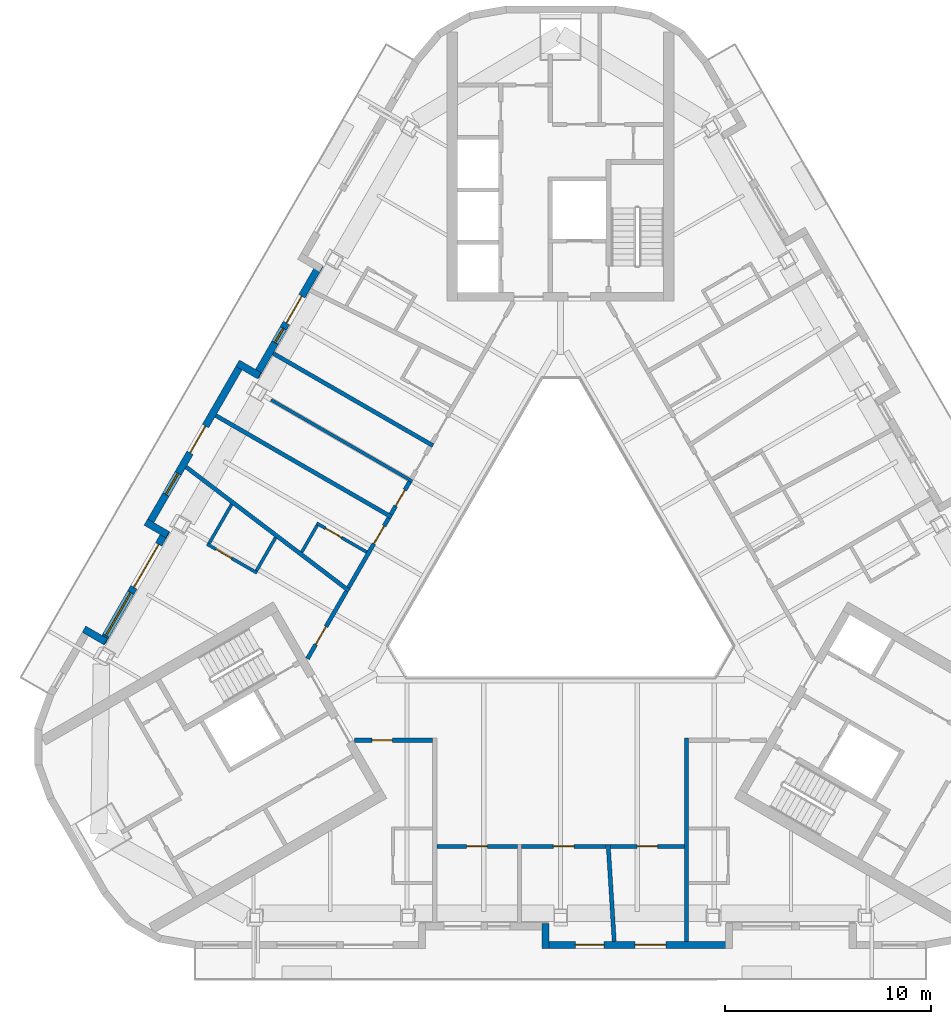
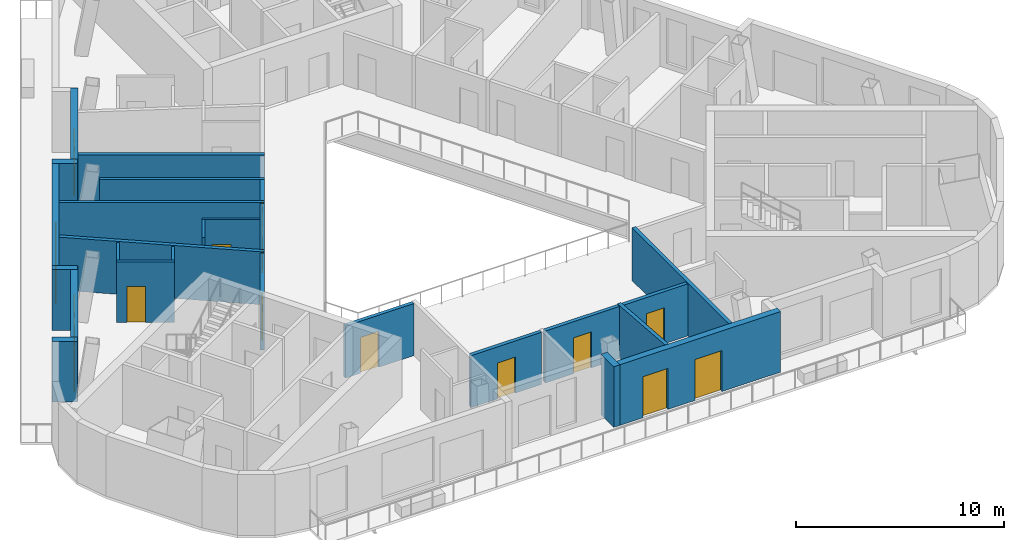
# One storey, part 4 of 13: 26 walls, 14 doors, 3 windows, 17 openings.
"""IFC4 building model written with IfcOpenShell, lengths in metres."""

from ifc_helpers import new_model, si_unit, direction, frame, frame_2d, origin, place, context, subcontext, project, spatial, rectangle, extrude, material, layer, layer_set, type_object, element, fill, save


model = new_model("IFC4")

# Units and contexts
model_context = context("Model", 3, precision=1e-05, world=origin(), true_north=direction((0.0, 1.0)))
body_context = subcontext(model_context, "Body", "Model", "MODEL_VIEW")
ifc_project = project(units=[si_unit("LENGTHUNIT", "METRE"), si_unit("AREAUNIT", "SQUARE_METRE"), si_unit("VOLUMEUNIT", "CUBIC_METRE"), si_unit("PLANEANGLEUNIT", "RADIAN"), si_unit("MASSUNIT", "GRAM", prefix="KILO")], contexts=[model_context])

# Site, building, storey
site_placement = place(None, origin())
site = spatial("IfcSite", under=ifc_project, at=site_placement, CompositionType="ELEMENT")
building_placement = place(site_placement, origin())
building = spatial("IfcBuilding", under=site, at=building_placement, Name="Apuvela Tower Hotel", CompositionType="ELEMENT")
storey_placement = place(building_placement, frame((0.0, 0.0, 276.300048828125)))
storey = spatial("IfcBuildingStorey", under=building, at=storey_placement, Name="L68", CompositionType="ELEMENT", Elevation=276.300048828125)

# Wall, openings, door, window
ifc_material_1 = material(Name="Concrete C40/50, dark pigmented precast panel", Category="concrete")
ifc_layer_1 = layer(ifc_material_1, 0.35009765625)
ifc_layer_set_1 = layer_set([ifc_layer_1], Name="ENV-WALL-350")
wall_type_1 = type_object("IfcWallType", Name="ENV-WALL-350", PredefinedType="SOLIDWALL", material=ifc_layer_set_1)
wall_1_placement = place(storey_placement, frame((-11.655029296875, 14.654541015625, 0.0), z_axis=(0.0, 0.0, 1.0), x_axis=(-0.499995993298, -0.866027717042, 0.0)))
wall_1 = element("IfcWall", 1, at=wall_1_placement, inside=storey, type_object=wall_type_1, Name="External wall L68-03", PredefinedType="SOLIDWALL", context=body_context, shape_type="SweptSolid", body=[
    extrude(rectangle(XDim=6.28369140625, YDim=0.35009765625, at=frame_2d((3.141845703125, 0.0))), origin(), (0.0, 0.0, 1.0), 3.550048828125),
])
opening_1_placement = place(wall_1_placement, frame((1.7666015625, 0.0, 0.0)))
opening_1 = element("IfcOpeningElement", 2, at=opening_1_placement, cuts=wall_1, Name="Opening BD15", PredefinedType="OPENING", context=body_context, shape_type="SweptSolid", body=[
    extrude(rectangle(XDim=1.5, YDim=2.39990234375, at=frame_2d((0.75, 1.199951171875))), frame((0.0, 0.18505859375, 0.0), z_axis=(0.0, -1.0, 0.0), x_axis=(1.0, 0.0, 0.0)), (0.0, 0.0, 1.0), 0.3701171875),
])
opening_2_placement = place(wall_1_placement, frame((3.56640625, 0.0, 0.300048828125)))
opening_2 = element("IfcOpeningElement", 3, at=opening_2_placement, cuts=wall_1, Name="Opening WN08", PredefinedType="OPENING", context=body_context, shape_type="SweptSolid", body=[
    extrude(rectangle(XDim=0.800048828125, YDim=2.64990234375, at=frame_2d((0.39990234375, 1.324951171875))), frame((0.0, 0.18505859375, 0.0), z_axis=(0.0, -1.0, 0.0), x_axis=(1.0, 0.0, 0.0)), (0.0, 0.0, 1.0), 0.3701171875),
])
ifc_material_2 = material(Name="Aluminium 6063-T6, dark bronze anodised frame with dark tinted laminated glass", Category="aluminium")
door_type_1 = type_object("IfcDoorType", Name="ENV-DOOR-BALCONY-1500x2400", OperationType="SLIDING_TO_LEFT", PredefinedType="DOOR", material=ifc_material_2)
door_1_placement = place(opening_1_placement, frame((1.5, 0.0, 0.0), z_axis=(0.0, 0.0, 1.0), x_axis=(-1.0, 0.0, 0.0)))
door_1 = element("IfcDoor", 4, at=door_1_placement, inside=storey, type_object=door_type_1, Name="Balcony door BD15", OperationType="SLIDING_TO_LEFT", OverallHeight=2.39990234375, OverallWidth=1.5, PredefinedType="DOOR", context=body_context, shape_type="SweptSolid", body=[
    extrude(rectangle(XDim=1.5, YDim=2.39990234375, at=frame_2d((0.75, 1.199951171875))), frame((0.0, 0.02490234375, 0.0), z_axis=(0.0, -1.0, 0.0), x_axis=(1.0, 0.0, 0.0)), (0.0, 0.0, 1.0), 0.050048828125),
])
fill(opening_1, door_1)
ifc_material_3 = material(Name="Glass, dark tinted laminated insulated glazing unit", Category="glass")
window_type_1 = type_object("IfcWindowType", Name="ENV-WIN-800x2650", PartitioningType="SINGLE_PANEL", PredefinedType="WINDOW", material=ifc_material_3)
window_1_placement = place(opening_2_placement, origin())
window_1 = element("IfcWindow", 5, at=window_1_placement, inside=storey, type_object=window_type_1, Name="Window WN08", OverallHeight=2.64990234375, OverallWidth=0.800048828125, PartitioningType="SINGLE_PANEL", PredefinedType="WINDOW", context=body_context, shape_type="SweptSolid", body=[
    extrude(rectangle(XDim=0.800048828125, YDim=2.64990234375, at=frame_2d((0.39990234375, 1.324951171875))), frame((0.0, 0.030029296875, 0.0), z_axis=(0.0, -1.0, 0.0), x_axis=(1.0, 0.0, 0.0)), (0.0, 0.0, 1.0), 0.06005859375),
])
fill(opening_2, window_1)

# Wall
wall_2_placement = place(storey_placement, frame((-14.5986328125, 9.265625, 0.0), z_axis=(0.0, 0.0, 1.0), x_axis=(-0.866005645448, 0.500034220881, 0.0)))
element("IfcWall", 6, at=wall_2_placement, inside=storey, type_object=wall_type_1, Name="External wall L68-04", PredefinedType="SOLIDWALL", context=body_context, shape_type="SweptSolid", body=[
    extrude(rectangle(XDim=1.22021484375, YDim=0.35009765625, at=frame_2d((0.610107421875, 0.0))), origin(), (0.0, 0.0, 1.0), 3.550048828125),
])

# Wall, openings, door, window
wall_3_placement = place(storey_placement, frame((-15.416259765625, 9.939697265625, 0.0), z_axis=(0.0, 0.0, 1.0), x_axis=(-0.500005190411, -0.866022407078, 0.0)))
wall_3 = element("IfcWall", 7, at=wall_3_placement, inside=storey, type_object=wall_type_1, Name="External wall L68-05", PredefinedType="SOLIDWALL", context=body_context, shape_type="SweptSolid", body=[
    extrude(rectangle(XDim=9.24365234375, YDim=0.35009765625, at=frame_2d((4.621826171875, 0.0))), origin(), (0.0, 0.0, 1.0), 3.550048828125),
])
opening_3_placement = place(wall_3_placement, frame((3.590087890625, 0.0, 0.0)))
opening_3 = element("IfcOpeningElement", 8, at=opening_3_placement, cuts=wall_3, Name="Opening BD15", PredefinedType="OPENING", context=body_context, shape_type="SweptSolid", body=[
    extrude(rectangle(XDim=1.5, YDim=2.39990234375, at=frame_2d((0.75, 1.199951171875))), frame((0.0, 0.18505859375, 0.0), z_axis=(0.0, -1.0, 0.0), x_axis=(1.0, 0.0, 0.0)), (0.0, 0.0, 1.0), 0.3701171875),
])
opening_4_placement = place(wall_3_placement, frame((6.23046875, 0.0, 0.300048828125)))
opening_4 = element("IfcOpeningElement", 9, at=opening_4_placement, cuts=wall_3, Name="Opening WN12", PredefinedType="OPENING", context=body_context, shape_type="SweptSolid", body=[
    extrude(rectangle(XDim=1.199951171875, YDim=2.64990234375, at=frame_2d((0.60009765625, 1.324951171875))), frame((0.0, 0.18505859375, 0.0), z_axis=(0.0, -1.0, 0.0), x_axis=(1.0, 0.0, 0.0)), (0.0, 0.0, 1.0), 0.3701171875),
])
door_2_placement = place(opening_3_placement, frame((1.5, 0.0, 0.0), z_axis=(0.0, 0.0, 1.0), x_axis=(-1.0, 0.0, 0.0)))
door_2 = element("IfcDoor", 10, at=door_2_placement, inside=storey, type_object=door_type_1, Name="Balcony door BD15", OperationType="SLIDING_TO_LEFT", OverallHeight=2.39990234375, OverallWidth=1.5, PredefinedType="DOOR", context=body_context, shape_type="SweptSolid", body=[
    extrude(rectangle(XDim=1.5, YDim=2.39990234375, at=frame_2d((0.75, 1.199951171875))), frame((0.0, 0.02490234375, 0.0), z_axis=(0.0, -1.0, 0.0), x_axis=(1.0, 0.0, 0.0)), (0.0, 0.0, 1.0), 0.050048828125),
])
fill(opening_3, door_2)
window_type_2 = type_object("IfcWindowType", Name="ENV-WIN-1200x2650", PartitioningType="SINGLE_PANEL", PredefinedType="WINDOW", material=ifc_material_3)
window_2_placement = place(opening_4_placement, origin())
window_2 = element("IfcWindow", 11, at=window_2_placement, inside=storey, type_object=window_type_2, Name="Window WN12", OverallHeight=2.64990234375, OverallWidth=1.199951171875, PartitioningType="SINGLE_PANEL", PredefinedType="WINDOW", context=body_context, shape_type="SweptSolid", body=[
    extrude(rectangle(XDim=1.199951171875, YDim=2.64990234375, at=frame_2d((0.60009765625, 1.324951171875))), frame((0.0, 0.030029296875, 0.0), z_axis=(0.0, -1.0, 0.0), x_axis=(1.0, 0.0, 0.0)), (0.0, 0.0, 1.0), 0.06005859375),
])
fill(opening_4, window_2)

# Wall
wall_4_placement = place(storey_placement, frame((-20.10205078125, 2.173583984375, 0.0), z_axis=(0.0, 0.0, 1.0), x_axis=(0.866092288191, -0.499884134912, 0.0)))
element("IfcWall", 12, at=wall_4_placement, inside=storey, type_object=wall_type_1, Name="External wall L68-06", PredefinedType="SOLIDWALL", context=body_context, shape_type="SweptSolid", body=[
    extrude(rectangle(XDim=1.219970703125, YDim=0.35009765625, at=frame_2d((0.60986328125, 0.0))), origin(), (0.0, 0.0, 1.0), 3.550048828125),
])

# Wall, openings, door, window
wall_5_placement = place(storey_placement, frame((-19.0986328125, 1.76171875, 0.0), z_axis=(0.0, 0.0, 1.0), x_axis=(-0.500012817413, -0.866018003521, 0.0)))
wall_5 = element("IfcWall", 13, at=wall_5_placement, inside=storey, type_object=wall_type_1, Name="External wall L68-07", PredefinedType="SOLIDWALL", context=body_context, shape_type="SweptSolid", body=[
    extrude(rectangle(XDim=6.283447265625, YDim=0.35009765625, at=frame_2d((3.1416015625, 0.0))), origin(), (0.0, 0.0, 1.0), 3.550048828125),
])
opening_5_placement = place(wall_5_placement, frame((0.77001953125, 0.0, 0.0)))
opening_5 = element("IfcOpeningElement", 14, at=opening_5_placement, cuts=wall_5, Name="Opening BD24", PredefinedType="OPENING", context=body_context, shape_type="SweptSolid", body=[
    extrude(rectangle(XDim=2.39990234375, YDim=2.39990234375, at=frame_2d((1.199951171875, 1.199951171875))), frame((0.0, 0.18505859375, 0.0), z_axis=(0.0, -1.0, 0.0), x_axis=(1.0, 0.0, 0.0)), (0.0, 0.0, 1.0), 0.3701171875),
])
opening_6_placement = place(wall_5_placement, frame((3.469970703125, 0.0, 0.300048828125)))
opening_6 = element("IfcOpeningElement", 15, at=opening_6_placement, cuts=wall_5, Name="Opening WN24", PredefinedType="OPENING", context=body_context, shape_type="SweptSolid", body=[
    extrude(rectangle(XDim=2.39990234375, YDim=2.64990234375, at=frame_2d((1.199951171875, 1.324951171875))), frame((0.0, 0.18505859375, 0.0), z_axis=(0.0, -1.0, 0.0), x_axis=(1.0, 0.0, 0.0)), (0.0, 0.0, 1.0), 0.3701171875),
])
door_type_2 = type_object("IfcDoorType", Name="ENV-DOOR-BALCONY-2400x2400", OperationType="SLIDING_TO_LEFT", PredefinedType="DOOR", material=ifc_material_2)
door_3_placement = place(opening_5_placement, frame((2.39990234375, 0.0, 0.0), z_axis=(0.0, 0.0, 1.0), x_axis=(-1.0, 0.0, 0.0)))
door_3 = element("IfcDoor", 16, at=door_3_placement, inside=storey, type_object=door_type_2, Name="Balcony door BD24", OperationType="SLIDING_TO_LEFT", OverallHeight=2.39990234375, OverallWidth=2.39990234375, PredefinedType="DOOR", context=body_context, shape_type="SweptSolid", body=[
    extrude(rectangle(XDim=2.39990234375, YDim=2.39990234375, at=frame_2d((1.199951171875, 1.199951171875))), frame((0.0, 0.02490234375, 0.0), z_axis=(0.0, -1.0, 0.0), x_axis=(1.0, 0.0, 0.0)), (0.0, 0.0, 1.0), 0.050048828125),
])
fill(opening_5, door_3)
window_type_3 = type_object("IfcWindowType", Name="ENV-WIN-2400x2650", PartitioningType="SINGLE_PANEL", PredefinedType="WINDOW", material=ifc_material_3)
window_3_placement = place(opening_6_placement, origin())
window_3 = element("IfcWindow", 17, at=window_3_placement, inside=storey, type_object=window_type_3, Name="Window WN24", OverallHeight=2.64990234375, OverallWidth=2.39990234375, PartitioningType="SINGLE_PANEL", PredefinedType="WINDOW", context=body_context, shape_type="SweptSolid", body=[
    extrude(rectangle(XDim=2.39990234375, YDim=2.64990234375, at=frame_2d((1.199951171875, 1.324951171875))), frame((0.0, 0.030029296875, 0.0), z_axis=(0.0, -1.0, 0.0), x_axis=(1.0, 0.0, 0.0)), (0.0, 0.0, 1.0), 0.06005859375),
])
fill(opening_6, window_3)

# Walls
wall_6_placement = place(storey_placement, frame((-22.042236328125, -3.626953125, 0.0), z_axis=(0.0, 0.0, 1.0), x_axis=(-0.866005645448, 0.500034220881, 0.0)))
element("IfcWall", 18, at=wall_6_placement, inside=storey, type_object=wall_type_1, Name="External wall L68-08", PredefinedType="SOLIDWALL", context=body_context, shape_type="SweptSolid", body=[
    extrude(rectangle(XDim=1.22021484375, YDim=0.35009765625, at=frame_2d((0.610107421875, 0.0))), origin(), (0.0, 0.0, 1.0), 3.550048828125),
])
wall_7_placement = place(storey_placement, frame((-0.72509765625, -17.27587890625, 0.0), z_axis=(0.0, 0.0, 1.0), x_axis=(0.0, -1.0, 0.0)))
element("IfcWall", 19, at=wall_7_placement, inside=storey, type_object=wall_type_1, Name="External wall L68-20", PredefinedType="SOLIDWALL", context=body_context, shape_type="SweptSolid", body=[
    extrude(rectangle(XDim=1.219970703125, YDim=0.35009765625, at=frame_2d((0.60986328125, 0.0))), origin(), (0.0, 0.0, 1.0), 3.550048828125),
])

# Wall, openings, doors
wall_8_placement = place(storey_placement, frame((-0.89990234375, -18.32080078125, 0.0), z_axis=(0.0, 0.0, 1.0), x_axis=(1.0, 0.0, 0.0)))
wall_8 = element("IfcWall", 20, at=wall_8_placement, inside=storey, type_object=wall_type_1, Name="External wall L68-21", PredefinedType="SOLIDWALL", context=body_context, shape_type="SweptSolid", body=[
    extrude(rectangle(XDim=9.243408203125, YDim=0.35009765625, at=frame_2d((4.62158203125, 0.0))), origin(), (0.0, 0.0, 1.0), 3.550048828125),
])
opening_7_placement = place(wall_8_placement, frame((1.614501953125, 0.0, 0.0)))
opening_7 = element("IfcOpeningElement", 21, at=opening_7_placement, cuts=wall_8, Name="Opening BD14", PredefinedType="OPENING", context=body_context, shape_type="SweptSolid", body=[
    extrude(rectangle(XDim=1.39990234375, YDim=2.39990234375, at=frame_2d((0.699951171875, 1.199951171875))), frame((0.0, 0.18505859375, 0.0), z_axis=(0.0, -1.0, 0.0), x_axis=(1.0, 0.0, 0.0)), (0.0, 0.0, 1.0), 0.3701171875),
])
opening_8_placement = place(wall_8_placement, frame((4.5, 0.0, 0.0)))
opening_8 = element("IfcOpeningElement", 22, at=opening_8_placement, cuts=wall_8, Name="Opening BD15", PredefinedType="OPENING", context=body_context, shape_type="SweptSolid", body=[
    extrude(rectangle(XDim=1.5, YDim=2.39990234375, at=frame_2d((0.75, 1.199951171875))), frame((0.0, 0.18505859375, 0.0), z_axis=(0.0, -1.0, 0.0), x_axis=(1.0, 0.0, 0.0)), (0.0, 0.0, 1.0), 0.3701171875),
])
door_type_3 = type_object("IfcDoorType", Name="ENV-DOOR-BALCONY-1400x2400", OperationType="SLIDING_TO_LEFT", PredefinedType="DOOR", material=ifc_material_2)
door_4_placement = place(opening_7_placement, frame((1.39990234375, 0.0, 0.0), z_axis=(0.0, 0.0, 1.0), x_axis=(-1.0, 0.0, 0.0)))
door_4 = element("IfcDoor", 23, at=door_4_placement, inside=storey, type_object=door_type_3, Name="Balcony door BD14", OperationType="SLIDING_TO_LEFT", OverallHeight=2.39990234375, OverallWidth=1.39990234375, PredefinedType="DOOR", context=body_context, shape_type="SweptSolid", body=[
    extrude(rectangle(XDim=1.39990234375, YDim=2.39990234375, at=frame_2d((0.699951171875, 1.199951171875))), frame((0.0, 0.02490234375, 0.0), z_axis=(0.0, -1.0, 0.0), x_axis=(1.0, 0.0, 0.0)), (0.0, 0.0, 1.0), 0.050048828125),
])
fill(opening_7, door_4)
door_5_placement = place(opening_8_placement, frame((1.5, 0.0, 0.0), z_axis=(0.0, 0.0, 1.0), x_axis=(-1.0, 0.0, 0.0)))
door_5 = element("IfcDoor", 24, at=door_5_placement, inside=storey, type_object=door_type_1, Name="Balcony door BD15", OperationType="SLIDING_TO_LEFT", OverallHeight=2.39990234375, OverallWidth=1.5, PredefinedType="DOOR", context=body_context, shape_type="SweptSolid", body=[
    extrude(rectangle(XDim=1.5, YDim=2.39990234375, at=frame_2d((0.75, 1.199951171875))), frame((0.0, 0.02490234375, 0.0), z_axis=(0.0, -1.0, 0.0), x_axis=(1.0, 0.0, 0.0)), (0.0, 0.0, 1.0), 0.050048828125),
])
fill(opening_8, door_5)

# Walls
ifc_material_4 = material(Name="Gypsum board partition on twin steel stud", Category="steel")
ifc_layer_2 = layer(ifc_material_4, 0.199951171875)
ifc_layer_set_2 = layer_set([ifc_layer_2], Name="GST-PW1")
wall_type_2 = type_object("IfcWallType", Name="GST-PW1", PredefinedType="PARTITIONING", material=ifc_layer_set_2)
wall_9_placement = place(storey_placement, frame((2.60009765625, -18.145751953125, 0.0), z_axis=(0.0, 0.0, 1.0), x_axis=(-0.062110384133, 0.998069286264, 0.0)))
element("IfcWall", 25, at=wall_9_placement, inside=storey, type_object=wall_type_2, Name="L68 partition 03", PredefinedType="PARTITIONING", context=body_context, shape_type="SweptSolid", body=[
    extrude(rectangle(XDim=4.708984375, YDim=0.199951171875, at=frame_2d((2.3544921875, 0.0))), origin(), (0.0, 0.0, 1.0), 3.099853515625),
])
wall_10_placement = place(storey_placement, frame((6.10009765625, -18.145751953125, 0.0), z_axis=(0.0, 0.0, 1.0), x_axis=(0.0, 1.0, 0.0)))
element("IfcWall", 26, at=wall_10_placement, inside=storey, type_object=wall_type_2, Name="L68 partition 04", PredefinedType="PARTITIONING", context=body_context, shape_type="SweptSolid", body=[
    extrude(rectangle(XDim=9.845703125, YDim=0.199951171875, at=frame_2d((4.9228515625, 0.0))), origin(), (0.0, 0.0, 1.0), 3.099853515625),
])
wall_11_placement = place(storey_placement, frame((-13.935302734375, 10.35498046875, 0.0), z_axis=(0.0, 0.0, 1.0), x_axis=(0.866026066645, -0.499998851889, 0.0)))
element("IfcWall", 27, at=wall_11_placement, inside=storey, type_object=wall_type_2, Name="L68 partition 10", PredefinedType="PARTITIONING", context=body_context, shape_type="SweptSolid", body=[
    extrude(rectangle(XDim=8.94580078125, YDim=0.199951171875, at=frame_2d((4.472900390625, 0.0))), origin(), (0.0, 0.0, 1.0), 3.099853515625),
])
wall_12_placement = place(storey_placement, frame((-16.714599609375, 7.3408203125, 0.0), z_axis=(0.0, 0.0, 1.0), x_axis=(0.866024954444, -0.500000778279, 0.0)))
element("IfcWall", 28, at=wall_12_placement, inside=storey, type_object=wall_type_2, Name="L68 partition 11", PredefinedType="PARTITIONING", context=body_context, shape_type="SweptSolid", body=[
    extrude(rectangle(XDim=9.845703125, YDim=0.199951171875, at=frame_2d((4.9228515625, 0.0))), origin(), (0.0, 0.0, 1.0), 3.099853515625),
])
wall_13_placement = place(storey_placement, frame((-18.15478515625, 4.8466796875, 0.0), z_axis=(0.0, 0.0, 1.0), x_axis=(0.796434687651, -0.604724555733, 0.0)))
element("IfcWall", 29, at=wall_13_placement, inside=storey, type_object=wall_type_2, Name="L68 partition 12", PredefinedType="PARTITIONING", context=body_context, shape_type="SweptSolid", body=[
    extrude(rectangle(XDim=9.92431640625, YDim=0.199951171875, at=frame_2d((4.962158203125, 0.0))), origin(), (0.0, 0.0, 1.0), 3.099853515625),
])

# Wall, opening, door
ifc_material_5 = material(Name="Gypsum board corridor wall on twin steel stud, acoustic", Category="steel")
ifc_layer_3 = layer(ifc_material_5, 0.199951171875)
ifc_layer_set_3 = layer_set([ifc_layer_3], Name="GST-PW2")
wall_type_3 = type_object("IfcWallType", Name="GST-PW2", PredefinedType="PARTITIONING", material=ifc_layer_set_3)
wall_14_placement = place(storey_placement, frame((-6.199951171875, -8.39990234375, 0.0), z_axis=(0.0, 0.0, 1.0), x_axis=(-1.0, 0.0, 0.0)))
wall_14 = element("IfcWall", 30, at=wall_14_placement, inside=storey, type_object=wall_type_3, Name="L68 partition 13", PredefinedType="PARTITIONING", context=body_context, shape_type="SweptSolid", body=[
    extrude(rectangle(XDim=3.788330078125, YDim=0.199951171875, at=frame_2d((1.89404296875, 0.0))), origin(), (0.0, 0.0, 1.0), 3.050048828125),
])
opening_9_placement = place(wall_14_placement, frame((1.949951171875, 0.0, 0.0)))
opening_9 = element("IfcOpeningElement", 31, at=opening_9_placement, cuts=wall_14, Name="Opening GD27-02", PredefinedType="OPENING", context=body_context, shape_type="SweptSolid", body=[
    extrude(rectangle(XDim=1.0, YDim=2.10009765625, at=frame_2d((0.5, 1.050048828125))), frame((0.0, 0.10986328125, 0.0), z_axis=(0.0, -1.0, 0.0), x_axis=(1.0, 0.0, 0.0)), (0.0, 0.0, 1.0), 0.219970703125),
])
ifc_material_6 = material(Name="Timber door leaf in steel frame", Category="steel")
door_type_4 = type_object("IfcDoorType", Name="GST-D1", OperationType="NOTDEFINED", PredefinedType="DOOR", material=ifc_material_6)
door_6_placement = place(opening_9_placement, origin())
door_6 = element("IfcDoor", 32, at=door_6_placement, inside=storey, type_object=door_type_4, Name="Door L68-02", OperationType="SINGLE_SWING_LEFT", OverallHeight=2.10009765625, OverallWidth=1.0, PredefinedType="DOOR", context=body_context, shape_type="SweptSolid", body=[
    extrude(rectangle(XDim=1.0, YDim=2.10009765625, at=frame_2d((0.5, 1.050048828125))), frame((0.0, 0.02490234375, 0.0), z_axis=(0.0, -1.0, 0.0), x_axis=(1.0, 0.0, 0.0)), (0.0, 0.0, 1.0), 0.050048828125),
])
fill(opening_9, door_6)

wall_15_placement = place(storey_placement, frame((-2.10009765625, -13.5458984375, 0.0), z_axis=(0.0, 0.0, 1.0), x_axis=(-1.0, 0.0, 0.0)))
wall_15 = element("IfcWall", 33, at=wall_15_placement, inside=storey, type_object=wall_type_3, Name="L68 partition 17", PredefinedType="PARTITIONING", context=body_context, shape_type="SweptSolid", body=[
    extrude(rectangle(XDim=3.89990234375, YDim=0.199951171875, at=frame_2d((1.949951171875, 0.0))), origin(), (0.0, 0.0, 1.0), 3.050048828125),
])
opening_10_placement = place(wall_15_placement, frame((1.449951171875, 0.0, 0.0)))
opening_10 = element("IfcOpeningElement", 34, at=opening_10_placement, cuts=wall_15, Name="Opening GD27-03", PredefinedType="OPENING", context=body_context, shape_type="SweptSolid", body=[
    extrude(rectangle(XDim=1.0, YDim=2.10009765625, at=frame_2d((0.5, 1.050048828125))), frame((0.0, 0.10986328125, 0.0), z_axis=(0.0, -1.0, 0.0), x_axis=(1.0, 0.0, 0.0)), (0.0, 0.0, 1.0), 0.219970703125),
])
door_7_placement = place(opening_10_placement, origin())
door_7 = element("IfcDoor", 35, at=door_7_placement, inside=storey, type_object=door_type_4, Name="Door L68-03", OperationType="SINGLE_SWING_LEFT", OverallHeight=2.10009765625, OverallWidth=1.0, PredefinedType="DOOR", context=body_context, shape_type="SweptSolid", body=[
    extrude(rectangle(XDim=1.0, YDim=2.10009765625, at=frame_2d((0.5, 1.050048828125))), frame((0.0, 0.02490234375, 0.0), z_axis=(0.0, -1.0, 0.0), x_axis=(1.0, 0.0, 0.0)), (0.0, 0.0, 1.0), 0.050048828125),
])
fill(opening_10, door_7)

wall_16_placement = place(storey_placement, frame((2.213623046875, -13.5458984375, 0.0), z_axis=(0.0, 0.0, 1.0), x_axis=(-1.0, 0.0, 0.0)))
wall_16 = element("IfcWall", 36, at=wall_16_placement, inside=storey, type_object=wall_type_3, Name="L68 partition 18", PredefinedType="PARTITIONING", context=body_context, shape_type="SweptSolid", body=[
    extrude(rectangle(XDim=4.113525390625, YDim=0.199951171875, at=frame_2d((2.056640625, 0.0))), origin(), (0.0, 0.0, 1.0), 3.050048828125),
])
opening_11_placement = place(wall_16_placement, frame((1.556884765625, 0.0, 0.0)))
opening_11 = element("IfcOpeningElement", 37, at=opening_11_placement, cuts=wall_16, Name="Opening GD27-04", PredefinedType="OPENING", context=body_context, shape_type="SweptSolid", body=[
    extrude(rectangle(XDim=1.0, YDim=2.10009765625, at=frame_2d((0.5, 1.050048828125))), frame((0.0, 0.10986328125, 0.0), z_axis=(0.0, -1.0, 0.0), x_axis=(1.0, 0.0, 0.0)), (0.0, 0.0, 1.0), 0.219970703125),
])
door_8_placement = place(opening_11_placement, origin())
door_8 = element("IfcDoor", 38, at=door_8_placement, inside=storey, type_object=door_type_4, Name="Door L68-04", OperationType="SINGLE_SWING_LEFT", OverallHeight=2.10009765625, OverallWidth=1.0, PredefinedType="DOOR", context=body_context, shape_type="SweptSolid", body=[
    extrude(rectangle(XDim=1.0, YDim=2.10009765625, at=frame_2d((0.5, 1.050048828125))), frame((0.0, 0.02490234375, 0.0), z_axis=(0.0, -1.0, 0.0), x_axis=(1.0, 0.0, 0.0)), (0.0, 0.0, 1.0), 0.050048828125),
])
fill(opening_11, door_8)

wall_17_placement = place(storey_placement, frame((6.0, -13.5458984375, 0.0), z_axis=(0.0, 0.0, 1.0), x_axis=(-1.0, 0.0, 0.0)))
wall_17 = element("IfcWall", 39, at=wall_17_placement, inside=storey, type_object=wall_type_3, Name="L68 partition 19", PredefinedType="PARTITIONING", context=body_context, shape_type="SweptSolid", body=[
    extrude(rectangle(XDim=3.5859375, YDim=0.199951171875, at=frame_2d((1.79296875, 0.0))), origin(), (0.0, 0.0, 1.0), 3.050048828125),
])
opening_12_placement = place(wall_17_placement, frame((1.29296875, 0.0, 0.0)))
opening_12 = element("IfcOpeningElement", 40, at=opening_12_placement, cuts=wall_17, Name="Opening GD27-05", PredefinedType="OPENING", context=body_context, shape_type="SweptSolid", body=[
    extrude(rectangle(XDim=1.0, YDim=2.10009765625, at=frame_2d((0.5, 1.050048828125))), frame((0.0, 0.10986328125, 0.0), z_axis=(0.0, -1.0, 0.0), x_axis=(1.0, 0.0, 0.0)), (0.0, 0.0, 1.0), 0.219970703125),
])
door_9_placement = place(opening_12_placement, origin())
door_9 = element("IfcDoor", 41, at=door_9_placement, inside=storey, type_object=door_type_4, Name="Door L68-05", OperationType="SINGLE_SWING_LEFT", OverallHeight=2.10009765625, OverallWidth=1.0, PredefinedType="DOOR", context=body_context, shape_type="SweptSolid", body=[
    extrude(rectangle(XDim=1.0, YDim=2.10009765625, at=frame_2d((0.5, 1.050048828125))), frame((0.0, 0.02490234375, 0.0), z_axis=(0.0, -1.0, 0.0), x_axis=(1.0, 0.0, 0.0)), (0.0, 0.0, 1.0), 0.050048828125),
])
fill(opening_12, door_9)

wall_18_placement = place(storey_placement, frame((-8.224609375, 2.5546875, 0.0), z_axis=(0.0, 0.0, 1.0), x_axis=(0.500081442387, 0.865978377894, 0.0)))
wall_18 = element("IfcWall", 42, at=wall_18_placement, inside=storey, type_object=wall_type_3, Name="L68 partition 50", PredefinedType="PARTITIONING", context=body_context, shape_type="SweptSolid", body=[
    extrude(rectangle(XDim=1.824951171875, YDim=0.199951171875, at=frame_2d((0.91259765625, 0.0))), origin(), (0.0, 0.0, 1.0), 3.050048828125),
])
opening_13_placement = place(wall_18_placement, frame((0.46240234375, 0.0, 0.0)))
opening_13 = element("IfcOpeningElement", 43, at=opening_13_placement, cuts=wall_18, Name="Opening GD27-23", PredefinedType="OPENING", context=body_context, shape_type="SweptSolid", body=[
    extrude(rectangle(XDim=0.89990234375, YDim=2.10009765625, at=frame_2d((0.449951171875, 1.050048828125))), frame((0.0, 0.10986328125, 0.0), z_axis=(0.0, -1.0, 0.0), x_axis=(1.0, 0.0, 0.0)), (0.0, 0.0, 1.0), 0.219970703125),
])
door_type_5 = type_object("IfcDoorType", Name="GST-D2", OperationType="NOTDEFINED", PredefinedType="DOOR", material=ifc_material_6)
door_10_placement = place(opening_13_placement, origin())
door_10 = element("IfcDoor", 44, at=door_10_placement, inside=storey, type_object=door_type_5, Name="Door L68-23", OperationType="SINGLE_SWING_RIGHT", OverallHeight=2.10009765625, OverallWidth=0.89990234375, PredefinedType="DOOR", context=body_context, shape_type="SweptSolid", body=[
    extrude(rectangle(XDim=0.89990234375, YDim=2.10009765625, at=frame_2d((0.449951171875, 1.050048828125))), frame((0.0, 0.02490234375, 0.0), z_axis=(0.0, -1.0, 0.0), x_axis=(1.0, 0.0, 0.0)), (0.0, 0.0, 1.0), 0.050048828125),
])
fill(opening_13, door_10)

wall_19_placement = place(storey_placement, frame((-10.280517578125, -1.00634765625, 0.0), z_axis=(0.0, 0.0, 1.0), x_axis=(0.499985379744, 0.866033844629, 0.0)))
wall_19 = element("IfcWall", 45, at=wall_19_placement, inside=storey, type_object=wall_type_3, Name="L68 partition 51", PredefinedType="PARTITIONING", context=body_context, shape_type="SweptSolid", body=[
    extrude(rectangle(XDim=3.91162109375, YDim=0.199951171875, at=frame_2d((1.955810546875, 0.0))), origin(), (0.0, 0.0, 1.0), 3.050048828125),
])
opening_14_placement = place(wall_19_placement, frame((2.462158203125, 0.0, 0.0)))
opening_14 = element("IfcOpeningElement", 46, at=opening_14_placement, cuts=wall_19, Name="Opening GD27-25", PredefinedType="OPENING", context=body_context, shape_type="SweptSolid", body=[
    extrude(rectangle(XDim=1.0, YDim=2.10009765625, at=frame_2d((0.5, 1.050048828125))), frame((0.0, 0.10986328125, 0.0), z_axis=(0.0, -1.0, 0.0), x_axis=(1.0, 0.0, 0.0)), (0.0, 0.0, 1.0), 0.219970703125),
])
door_11_placement = place(opening_14_placement, origin())
door_11 = element("IfcDoor", 47, at=door_11_placement, inside=storey, type_object=door_type_4, Name="Door L68-25", OperationType="SINGLE_SWING_RIGHT", OverallHeight=2.10009765625, OverallWidth=1.0, PredefinedType="DOOR", context=body_context, shape_type="SweptSolid", body=[
    extrude(rectangle(XDim=1.0, YDim=2.10009765625, at=frame_2d((0.5, 1.050048828125))), frame((0.0, 0.02490234375, 0.0), z_axis=(0.0, -1.0, 0.0), x_axis=(1.0, 0.0, 0.0)), (0.0, 0.0, 1.0), 0.050048828125),
])
fill(opening_14, door_11)

wall_20_placement = place(storey_placement, frame((-12.268798828125, -4.449951171875, 0.0), z_axis=(0.0, 0.0, 1.0), x_axis=(0.500013576925, 0.866017565001, 0.0)))
wall_20 = element("IfcWall", 48, at=wall_20_placement, inside=storey, type_object=wall_type_3, Name="L68 partition 54", PredefinedType="PARTITIONING", context=body_context, shape_type="SweptSolid", body=[
    extrude(rectangle(XDim=3.77490234375, YDim=0.199951171875, at=frame_2d((1.887451171875, 0.0))), origin(), (0.0, 0.0, 1.0), 3.050048828125),
])
opening_15_placement = place(wall_20_placement, frame((0.800048828125, 0.0, 0.0)))
opening_15 = element("IfcOpeningElement", 49, at=opening_15_placement, cuts=wall_20, Name="Opening GD27-27", PredefinedType="OPENING", context=body_context, shape_type="SweptSolid", body=[
    extrude(rectangle(XDim=1.0, YDim=2.10009765625, at=frame_2d((0.5, 1.050048828125))), frame((0.0, 0.10986328125, 0.0), z_axis=(0.0, -1.0, 0.0), x_axis=(1.0, 0.0, 0.0)), (0.0, 0.0, 1.0), 0.219970703125),
])
door_12_placement = place(opening_15_placement, origin())
door_12 = element("IfcDoor", 50, at=door_12_placement, inside=storey, type_object=door_type_4, Name="Door L68-27", OperationType="SINGLE_SWING_RIGHT", OverallHeight=2.10009765625, OverallWidth=1.0, PredefinedType="DOOR", context=body_context, shape_type="SweptSolid", body=[
    extrude(rectangle(XDim=1.0, YDim=2.10009765625, at=frame_2d((0.5, 1.050048828125))), frame((0.0, 0.02490234375, 0.0), z_axis=(0.0, -1.0, 0.0), x_axis=(1.0, 0.0, 0.0)), (0.0, 0.0, 1.0), 0.050048828125),
])
fill(opening_15, door_12)

# Wall
ifc_material_7 = material(Name="Moisture-resistant gypsum board wet wall on steel stud", Category="steel")
ifc_layer_4 = layer(ifc_material_7, 0.14990234375)
ifc_layer_set_4 = layer_set([ifc_layer_4], Name="GST-PW3")
wall_type_4 = type_object("IfcWallType", Name="GST-PW3", PredefinedType="PARTITIONING", material=ifc_layer_set_4)
wall_21_placement = place(storey_placement, frame((-14.029541015625, 8.10009765625, 0.0), z_axis=(0.0, 0.0, 1.0), x_axis=(0.866013180616, -0.500021170551, 0.0)))
element("IfcWall", 51, at=wall_21_placement, inside=storey, type_object=wall_type_4, Name="L68 partition 48", PredefinedType="PARTITIONING", context=body_context, shape_type="SweptSolid", body=[
    extrude(rectangle(XDim=7.900146484375, YDim=0.14990234375, at=frame_2d((3.9501953125, 0.0))), origin(), (0.0, 0.0, 1.0), 3.050048828125),
])

# Wall, opening, door
wall_22_placement = place(storey_placement, frame((-9.398193359375, 0.7216796875, 0.0), z_axis=(0.0, 0.0, 1.0), x_axis=(-0.866056369097, 0.49994636267, 0.0)))
wall_22 = element("IfcWall", 52, at=wall_22_placement, inside=storey, type_object=wall_type_4, Name="L68 partition 52", PredefinedType="PARTITIONING", context=body_context, shape_type="SweptSolid", body=[
    extrude(rectangle(XDim=2.800048828125, YDim=0.14990234375, at=frame_2d((1.39990234375, 0.0))), origin(), (0.0, 0.0, 1.0), 3.550048828125),
])
opening_16_placement = place(wall_22_placement, frame((1.39990234375, 0.0, 0.0)))
opening_16 = element("IfcOpeningElement", 53, at=opening_16_placement, cuts=wall_22, Name="Opening GD27-24", PredefinedType="OPENING", context=body_context, shape_type="SweptSolid", body=[
    extrude(rectangle(XDim=0.89990234375, YDim=2.10009765625, at=frame_2d((0.449951171875, 1.050048828125))), frame((0.0, 0.0849609375, 0.0), z_axis=(0.0, -1.0, 0.0), x_axis=(1.0, 0.0, 0.0)), (0.0, 0.0, 1.0), 0.169921875),
])
door_13_placement = place(opening_16_placement, origin())
door_13 = element("IfcDoor", 54, at=door_13_placement, inside=storey, type_object=door_type_5, Name="Door L68-24", OperationType="SINGLE_SWING_RIGHT", OverallHeight=2.10009765625, OverallWidth=0.89990234375, PredefinedType="DOOR", context=body_context, shape_type="SweptSolid", body=[
    extrude(rectangle(XDim=0.89990234375, YDim=2.10009765625, at=frame_2d((0.449951171875, 1.050048828125))), frame((0.0, 0.02490234375, 0.0), z_axis=(0.0, -1.0, 0.0), x_axis=(1.0, 0.0, 0.0)), (0.0, 0.0, 1.0), 0.050048828125),
])
fill(opening_16, door_13)

# Wall
wall_23_placement = place(storey_placement, frame((-11.795654296875, 2.019287109375, 0.0), z_axis=(0.0, 0.0, 1.0), x_axis=(-0.499993865112, -0.866028945735, 0.0)))
element("IfcWall", 55, at=wall_23_placement, inside=storey, type_object=wall_type_4, Name="L68 partition 53", PredefinedType="PARTITIONING", context=body_context, shape_type="SweptSolid", body=[
    extrude(rectangle(XDim=1.50537109375, YDim=0.14990234375, at=frame_2d((0.752685546875, 0.0))), origin(), (0.0, 0.0, 1.0), 3.550048828125),
])

# Wall, opening, door
wall_24_placement = place(storey_placement, frame((-17.140380859375, 1.11181640625, 0.0), z_axis=(0.0, 0.0, 1.0), x_axis=(0.866034573852, -0.49998411664, 0.0)))
wall_24 = element("IfcWall", 56, at=wall_24_placement, inside=storey, type_object=wall_type_4, Name="L68 partition 55", PredefinedType="PARTITIONING", context=body_context, shape_type="SweptSolid", body=[
    extrude(rectangle(XDim=2.7998046875, YDim=0.14990234375, at=frame_2d((1.39990234375, 0.0))), origin(), (0.0, 0.0, 1.0), 3.550048828125),
])
opening_17_placement = place(wall_24_placement, frame((0.5, 0.0, 0.0)))
opening_17 = element("IfcOpeningElement", 57, at=opening_17_placement, cuts=wall_24, Name="Opening GD27-26", PredefinedType="OPENING", context=body_context, shape_type="SweptSolid", body=[
    extrude(rectangle(XDim=0.89990234375, YDim=2.10009765625, at=frame_2d((0.449951171875, 1.050048828125))), frame((0.0, 0.0849609375, 0.0), z_axis=(0.0, -1.0, 0.0), x_axis=(1.0, 0.0, 0.0)), (0.0, 0.0, 1.0), 0.169921875),
])
door_14_placement = place(opening_17_placement, origin())
door_14 = element("IfcDoor", 58, at=door_14_placement, inside=storey, type_object=door_type_5, Name="Door L68-26", OperationType="SINGLE_SWING_LEFT", OverallHeight=2.10009765625, OverallWidth=0.89990234375, PredefinedType="DOOR", context=body_context, shape_type="SweptSolid", body=[
    extrude(rectangle(XDim=0.89990234375, YDim=2.10009765625, at=frame_2d((0.449951171875, 1.050048828125))), frame((0.0, 0.02490234375, 0.0), z_axis=(0.0, -1.0, 0.0), x_axis=(1.0, 0.0, 0.0)), (0.0, 0.0, 1.0), 0.050048828125),
])
fill(opening_17, door_14)

# Walls
wall_25_placement = place(storey_placement, frame((-15.940673828125, 3.0400390625, 0.0), z_axis=(0.0, 0.0, 1.0), x_axis=(-0.500027377864, -0.86600959659, 0.0)))
element("IfcWall", 59, at=wall_25_placement, inside=storey, type_object=wall_type_4, Name="L68 partition 56", PredefinedType="PARTITIONING", context=body_context, shape_type="SweptSolid", body=[
    extrude(rectangle(XDim=2.19482421875, YDim=0.14990234375, at=frame_2d((1.097412109375, 0.0))), origin(), (0.0, 0.0, 1.0), 3.050048828125),
])
wall_26_placement = place(storey_placement, frame((-13.813232421875, 1.4248046875, 0.0), z_axis=(0.0, 0.0, 1.0), x_axis=(-0.499980071345, -0.866036909293, 0.0)))
element("IfcWall", 60, at=wall_26_placement, inside=storey, type_object=wall_type_4, Name="L68 partition 57", PredefinedType="PARTITIONING", context=body_context, shape_type="SweptSolid", body=[
    extrude(rectangle(XDim=1.859375, YDim=0.14990234375, at=frame_2d((0.9296875, 0.0))), origin(), (0.0, 0.0, 1.0), 3.050048828125),
])

save(model, "model.ifc")
